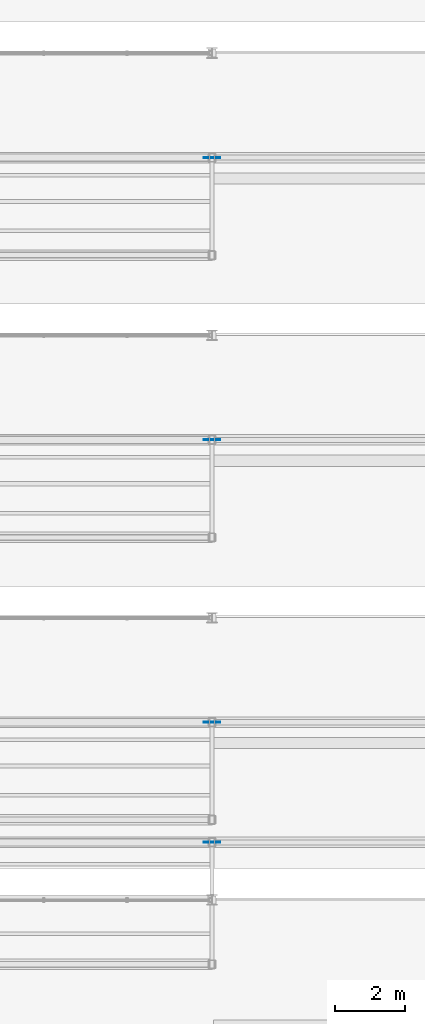
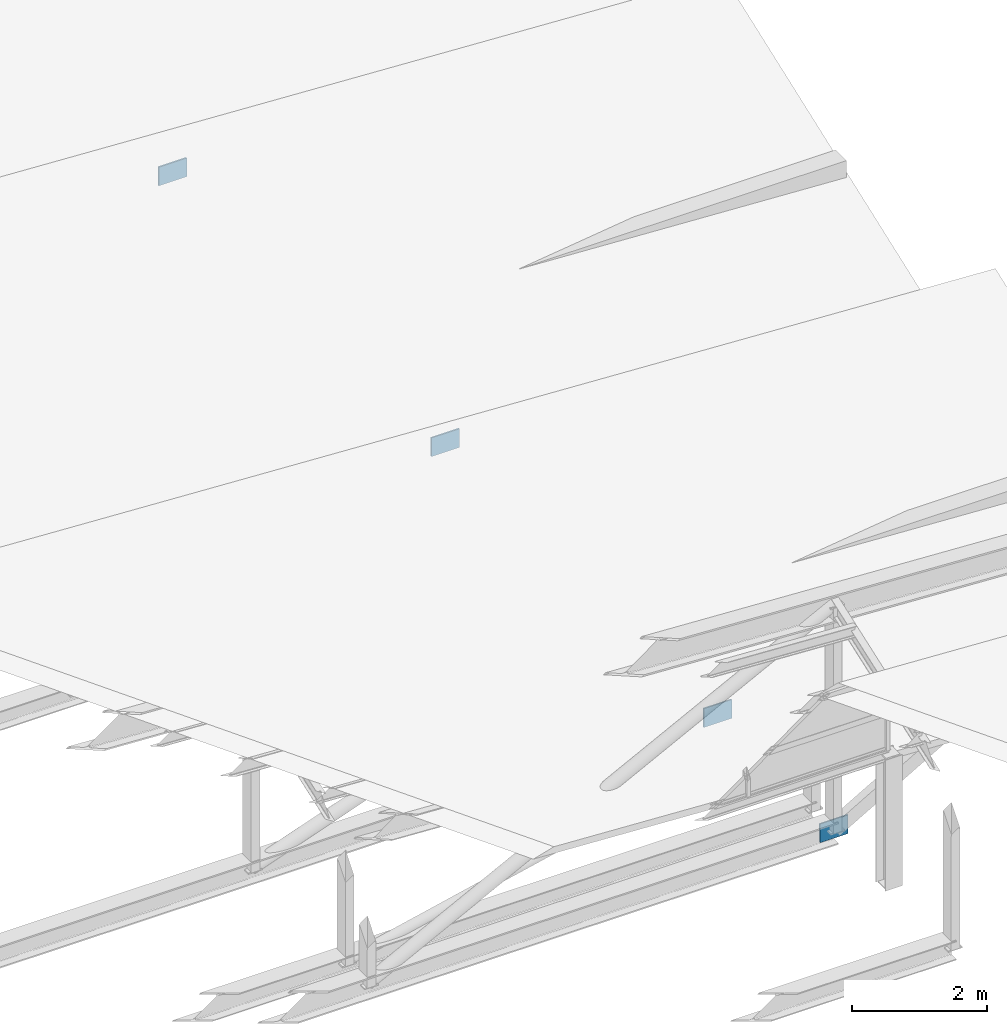
# One storey, part 134 of 141: 4 plates.
"""IFC4 building model written with IfcOpenShell, lengths in metres."""

from ifc_helpers import new_model, si_unit, direction, frame, origin, origin_2d, place, context, subcontext, project, spatial, rectangle, extrude, material, layer, layer_set, type_object, element, save


model = new_model("IFC4")

# Units and contexts
model_context = context("Model", 3, precision=1e-05, world=origin(), true_north=direction((0.0, 1.0)))
body_context = subcontext(model_context, "Body", "Model", "MODEL_VIEW")
ifc_project = project(units=[si_unit("LENGTHUNIT", "METRE"), si_unit("AREAUNIT", "SQUARE_METRE"), si_unit("VOLUMEUNIT", "CUBIC_METRE"), si_unit("PLANEANGLEUNIT", "RADIAN"), si_unit("MASSUNIT", "GRAM", prefix="KILO")], contexts=[model_context])

# Site, building, storey
site_placement = place(None, origin())
site = spatial("IfcSite", under=ifc_project, at=site_placement, CompositionType="ELEMENT")
building_placement = place(site_placement, origin())
building = spatial("IfcBuilding", under=site, at=building_placement, Name="Sundkrona Museum", CompositionType="ELEMENT")
storey_placement = place(building_placement, frame((0.0, 0.0, 34.0)))
storey = spatial("IfcBuildingStorey", under=building, at=storey_placement, Name="RF", CompositionType="ELEMENT", Elevation=34.0)

# Plates
ifc_material = material(Name="Steel S355J2", Category="steel")
ifc_layer = layer(ifc_material, 0.02490234375)
ifc_layer_set = layer_set([ifc_layer], Name="Steel S355J2")
plate_type = type_object("IfcPlateType", Name="GP-4", PredefinedType="USERDEFINED", material=ifc_layer_set)
for number, where, z_axis, x_axis, name in (
    (1, (168.0, 3.85009765625, -0.419921875), (0.0, 0.0, 1.0), (1.0, 0.0, 0.0), "Sawtooth Truss 1 East Bearing Gusset"),
    (2, (168.0, 7.300048828125, -0.419921875), (0.0, 0.0, 1.0), (1.0, 0.0, 0.0), "Sawtooth Truss 2 East Bearing Gusset"),
    (3, (168.0, 15.39990234375, -0.419921875), (0.0, 0.0, 1.0), (1.0, 0.0, 0.0), "Sawtooth Truss 3 East Bearing Gusset"),
    (4, (168.0, 23.5, -0.419921875), (0.0, 0.0, 1.0), (1.0, 0.0, 0.0), "Sawtooth Truss 4 East Bearing Gusset"),
):
    element("IfcPlate", number, at=place(storey_placement, frame(where, z_axis=z_axis, x_axis=x_axis)), inside=storey, type_object=plate_type, Name=name, ObjectType="GUSSET PLATE", PredefinedType="USERDEFINED", context=body_context, shape_type="SweptSolid", body=[
        extrude(rectangle(XDim=0.47998046875, YDim=0.02490234375, at=origin_2d()), origin(), (0.0, 0.0, 1.0), 0.340087890625),
    ])

save(model, "model.ifc")
